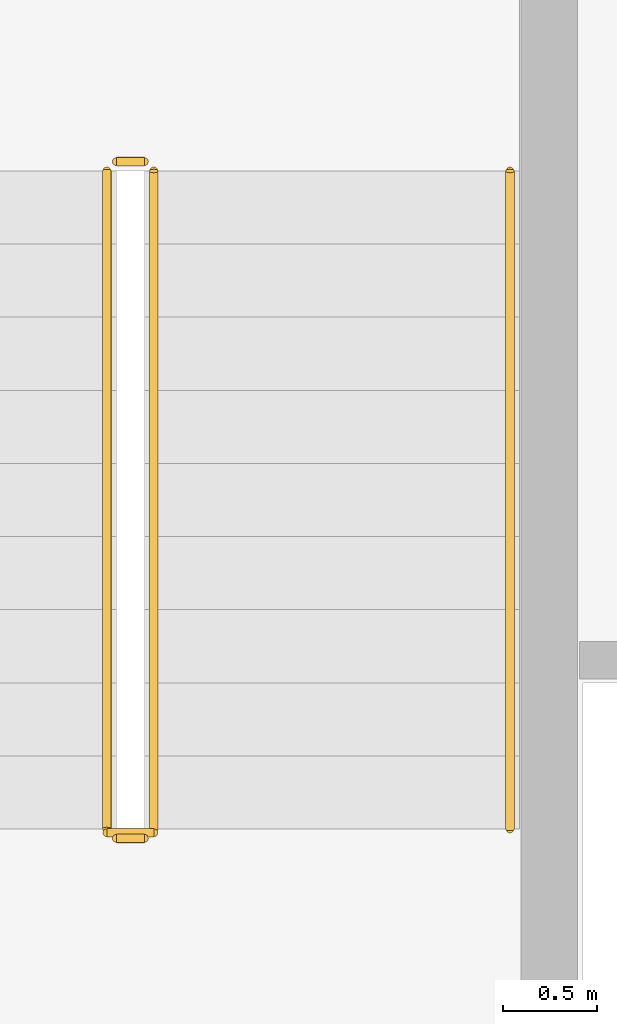
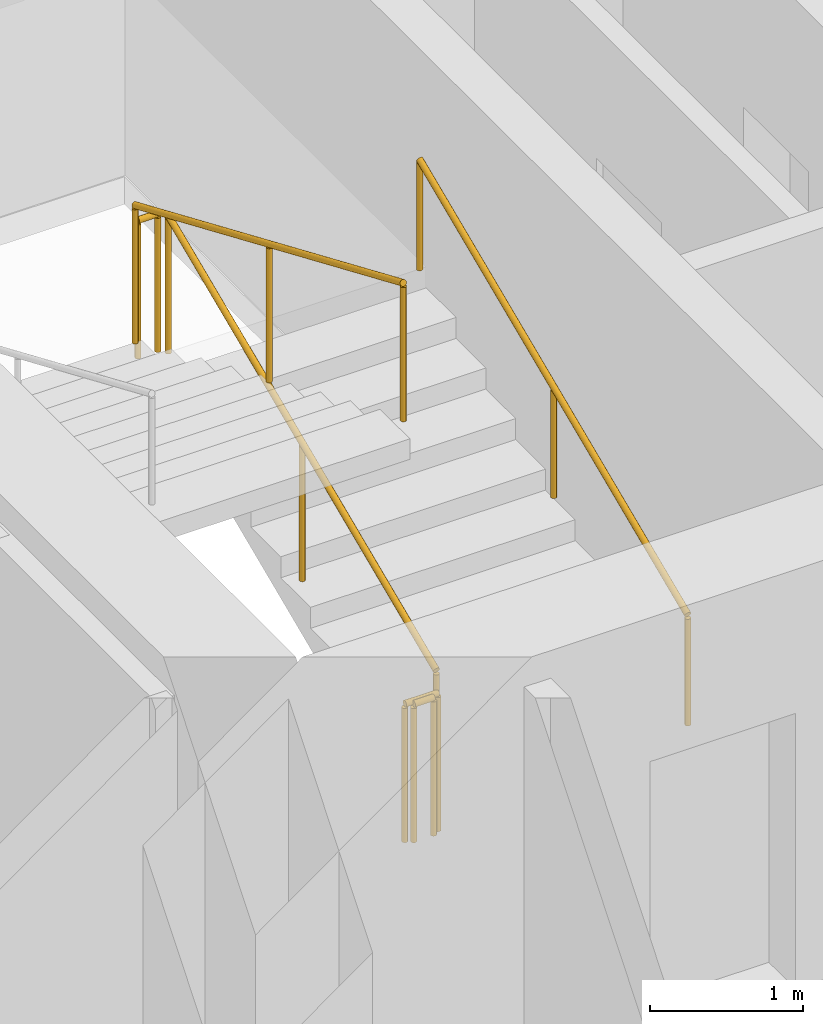
# One storey, part 32 of 33: 6 railings.
"""IFC4 building model written with IfcOpenShell, lengths in metres."""

from ifc_helpers import new_model, si_unit, direction, frame, origin, origin_2d, place, context, subcontext, project, spatial, circle, extrude, material, layer, layer_set, type_object, element, save


model = new_model("IFC4")

# Units and contexts
model_context = context("Model", 3, precision=1e-05, world=origin(), true_north=direction((0.0, 1.0)))
body_context = subcontext(model_context, "Body", "Model", "MODEL_VIEW")
ifc_project = project(units=[si_unit("LENGTHUNIT", "METRE"), si_unit("AREAUNIT", "SQUARE_METRE"), si_unit("VOLUMEUNIT", "CUBIC_METRE"), si_unit("PLANEANGLEUNIT", "RADIAN"), si_unit("MASSUNIT", "GRAM", prefix="KILO")], contexts=[model_context])

# Site, building, storey
site_placement = place(None, origin())
site = spatial("IfcSite", under=ifc_project, at=site_placement, CompositionType="ELEMENT")
building_placement = place(site_placement, origin())
building = spatial("IfcBuilding", under=site, at=building_placement, Name="Hatsunagi Terrace Concourse", CompositionType="ELEMENT")
storey_placement = place(building_placement, frame((0.0, 0.0, 53.35009765625)))
storey = spatial("IfcBuildingStorey", under=building, at=storey_placement, Name="L13", CompositionType="ELEMENT", Elevation=53.35009765625)

# Railings
ifc_material_1 = material(Name="Stainless steel", Category="steel")
ifc_layer_1 = layer(ifc_material_1, 0.044921875)
ifc_layer_set_1 = layer_set([ifc_layer_1], Name="StairPitchHandrail_Tower2000")
railing_type_1 = type_object("IfcRailingType", Name="StairPitchHandrail_Tower2000", PredefinedType="HANDRAIL", material=ifc_layer_set_1)
railing_1_placement = place(storey_placement, frame((30.330078125, 35.199951171875, 0.16748046875)))
element("IfcRailing", 1, at=railing_1_placement, inside=storey, type_object=railing_type_1, Name="L13 ST-A stair handrail 1", PredefinedType="HANDRAIL", context=body_context, shape_type="SweptSolid", body=[
    extrude(circle(Radius=0.02392578125, at=origin_2d()), frame((0.0, 0.0, 0.8759765625), z_axis=(0.0, 0.918857182807, 0.394590265469), x_axis=(-1.0, 0.0, 0.0)), (0.0, 0.0, 1.0), 3.820068359375),
    extrude(circle(Radius=0.02099609375, at=origin_2d()), origin(), (0.0, 0.0, 1.0), 0.851806640625),
    extrude(circle(Radius=0.02099609375, at=origin_2d()), frame((0.0, 1.7548828125, 0.753662109375)), (0.0, 0.0, 1.0), 0.851806640625),
    extrude(circle(Radius=0.02099609375, at=origin_2d()), frame((0.0, 3.510009765625, 1.50732421875)), (0.0, 0.0, 1.0), 0.851806640625),
])
ifc_material_2 = material(Name="Stainless steel", Category="steel")
ifc_layer_2 = layer(ifc_material_2, 0.06005859375)
ifc_layer_set_2 = layer_set([ifc_layer_2], Name="StairWellGuard_Tower2000")
railing_type_2 = type_object("IfcRailingType", Name="StairWellGuard_Tower2000", PredefinedType="BALUSTRADE", material=ifc_layer_set_2)
railing_2_placement = place(storey_placement, frame((28.429931640625, 35.199951171875, 0.16748046875)))
element("IfcRailing", 2, at=railing_2_placement, inside=storey, type_object=railing_type_2, Name="L13 ST-A stair guard 1", PredefinedType="BALUSTRADE", context=body_context, shape_type="SweptSolid", body=[
    extrude(circle(Radius=0.02392578125, at=origin_2d()), frame((0.0, 0.0, 1.09619140625), z_axis=(0.0, 0.918857182807, 0.394590265469), x_axis=(-1.0, 0.0, 0.0)), (0.0, 0.0, 1.0), 3.820068359375),
    extrude(circle(Radius=0.02099609375, at=origin_2d()), origin(), (0.0, 0.0, 1.0), 1.072021484375),
    extrude(circle(Radius=0.02099609375, at=origin_2d()), frame((0.0, 1.7548828125, 0.753662109375)), (0.0, 0.0, 1.0), 1.072021484375),
    extrude(circle(Radius=0.02099609375, at=origin_2d()), frame((0.0, 3.510009765625, 1.50732421875)), (0.0, 0.0, 1.0), 1.072021484375),
])
railing_3_placement = place(storey_placement, frame((28.3798828125, 38.760009765625, 1.6748046875)))
element("IfcRailing", 3, at=railing_3_placement, inside=storey, type_object=railing_type_2, Name="L13 ST-A stair guard 2", PredefinedType="BALUSTRADE", context=body_context, shape_type="SweptSolid", body=[
    extrude(circle(Radius=0.02392578125, at=origin_2d()), frame((0.0, 0.0, 1.09619140625), z_axis=(-1.0, 0.0, 0.0), x_axis=(0.0, -1.0, 0.0)), (0.0, 0.0, 1.0), 0.14990234375),
    extrude(circle(Radius=0.02099609375, at=origin_2d()), origin(), (0.0, 0.0, 1.0), 1.072021484375),
    extrude(circle(Radius=0.02099609375, at=origin_2d()), frame((-0.14990234375, 0.0, 0.0)), (0.0, 0.0, 1.0), 1.072021484375),
])
railing_4_placement = place(storey_placement, frame((28.179931640625, 38.7099609375, 1.84228515625)))
element("IfcRailing", 4, at=railing_4_placement, inside=storey, type_object=railing_type_2, Name="L13 ST-A stair guard 3", PredefinedType="BALUSTRADE", context=body_context, shape_type="SweptSolid", body=[
    extrude(circle(Radius=0.02392578125, at=origin_2d()), frame((0.0, 0.0, 1.09619140625), z_axis=(0.0, -0.918834009242, 0.394644223904), x_axis=(1.0, 0.0, 0.0)), (0.0, 0.0, 1.0), 3.820068359375),
    extrude(circle(Radius=0.02099609375, at=origin_2d()), origin(), (0.0, 0.0, 1.0), 1.072021484375),
    extrude(circle(Radius=0.02099609375, at=origin_2d()), frame((0.0, -1.7548828125, 0.75390625)), (0.0, 0.0, 1.0), 1.072021484375),
    extrude(circle(Radius=0.02099609375, at=origin_2d()), frame((0.0, -3.510009765625, 1.507568359375)), (0.0, 0.0, 1.0), 1.072021484375),
])
railing_5_placement = place(storey_placement, frame((28.3798828125, 35.14990234375, 0.0)))
element("IfcRailing", 5, at=railing_5_placement, inside=storey, type_object=railing_type_2, Name="L13 ST-A stair guard 4", PredefinedType="BALUSTRADE", context=body_context, shape_type="SweptSolid", body=[
    extrude(circle(Radius=0.02392578125, at=origin_2d()), frame((0.0, 0.0, 1.09619140625), z_axis=(-1.0, 0.0, 0.0), x_axis=(0.0, -1.0, 0.0)), (0.0, 0.0, 1.0), 0.14990234375),
    extrude(circle(Radius=0.02099609375, at=origin_2d()), origin(), (0.0, 0.0, 1.0), 1.072021484375),
    extrude(circle(Radius=0.02099609375, at=origin_2d()), frame((-0.14990234375, 0.0, 0.0)), (0.0, 0.0, 1.0), 1.072021484375),
])
ifc_material_3 = material(Name="Stainless Steel SUS316 Post-and-Rail Guard", Category="steel")
ifc_layer_3 = layer(ifc_material_3, 0.080078125)
ifc_layer_set_3 = layer_set([ifc_layer_3], Name="TerracePlantedGuardRail_1200")
railing_type_3 = type_object("IfcRailingType", Name="TerracePlantedGuardRail_1200", PredefinedType="GUARDRAIL", material=ifc_layer_set_3)
railing_6_placement = place(storey_placement, frame((28.179931640625, 35.179931640625, 0.0)))
element("IfcRailing", 6, at=railing_6_placement, inside=storey, type_object=railing_type_3, Name="Stair ST-A Well Closure Guard L13", PredefinedType="GUARDRAIL", context=body_context, shape_type="SweptSolid", body=[
    extrude(circle(Radius=0.02392578125, at=origin_2d()), frame((0.0, 0.0, 1.09619140625), z_axis=(1.0, 0.0, 0.0), x_axis=(0.0, 1.0, 0.0)), (0.0, 0.0, 1.0), 0.25),
    extrude(circle(Radius=0.02099609375, at=origin_2d()), origin(), (0.0, 0.0, 1.0), 1.072021484375),
    extrude(circle(Radius=0.02099609375, at=origin_2d()), frame((0.25, 0.0, 0.0)), (0.0, 0.0, 1.0), 1.072021484375),
])

save(model, "model.ifc")
